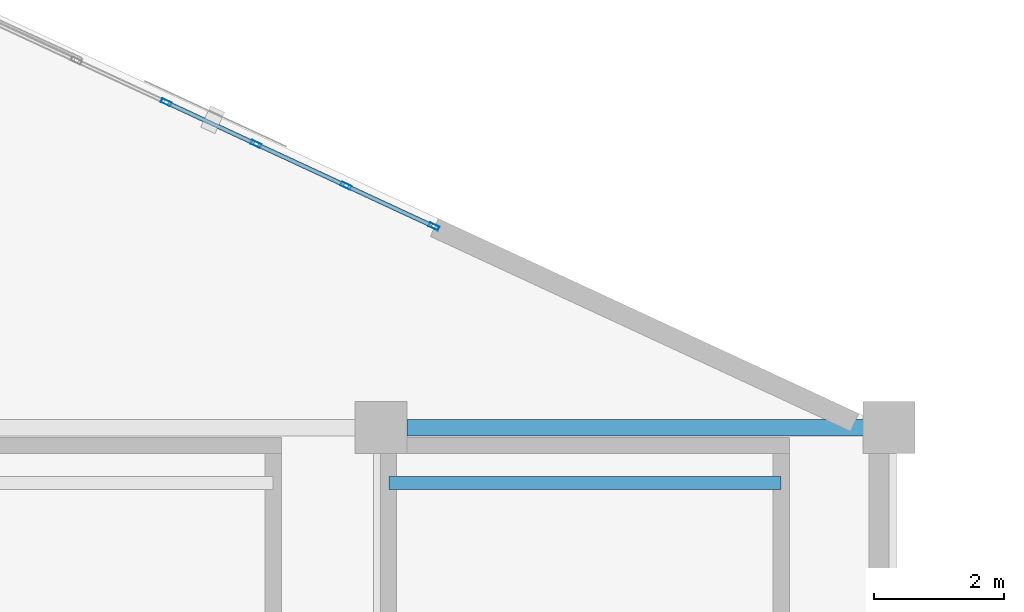
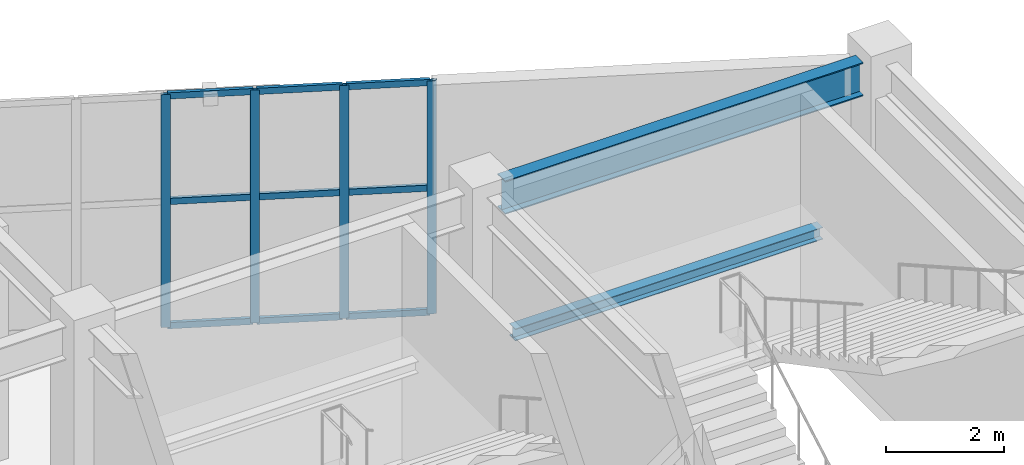
# One storey, part 93 of 128: 13 members, 2 beams, 1 element without a shape of its own.
"""IFC4 building model written with IfcOpenShell, lengths in metres."""

from ifc_helpers import new_model, si_unit, direction, frame, origin, origin_2d, place, context, subcontext, project, spatial, hollow_rectangle, i_section, extrude, material, layer, layer_set, material_profile, profile_set, type_object, element, aggregate, save


model = new_model("IFC4")

# Units and contexts
model_context = context("Model", 3, precision=1e-05, world=origin(), true_north=direction((0.0, 1.0)))
body_context = subcontext(model_context, "Body", "Model", "MODEL_VIEW")
ifc_project = project(units=[si_unit("LENGTHUNIT", "METRE"), si_unit("AREAUNIT", "SQUARE_METRE"), si_unit("VOLUMEUNIT", "CUBIC_METRE"), si_unit("PLANEANGLEUNIT", "RADIAN"), si_unit("MASSUNIT", "GRAM", prefix="KILO")], contexts=[model_context])

# Site, building, storey
site_placement = place(None, origin())
site = spatial("IfcSite", under=ifc_project, at=site_placement, CompositionType="ELEMENT")
building_placement = place(site_placement, origin())
building = spatial("IfcBuilding", under=site, at=building_placement, Name="Xicomal Pleat Aquarium", CompositionType="ELEMENT")
storey_placement = place(building_placement, frame((0.0, 0.0, 5.39990234375)))
storey = spatial("IfcBuildingStorey", under=building, at=storey_placement, Name="L02", CompositionType="ELEMENT", Elevation=5.39990234375)

# Beams
ifc_material_1 = material(Name="Structural steel A992 Gr 50", Category="steel")
ifc_material_profile_1 = material_profile(ifc_material_1, i_section(OverallWidth=0.201904296875, OverallDepth=0.2470703125, WebThickness=0.00732421875, FlangeThickness=0.010986328125, at=origin_2d()), Name="IR 250x49")
ifc_profile_set_1 = profile_set([ifc_material_profile_1], Name="Structural steel A992 Gr 50")
beam_type_1 = type_object("IfcBeamType", Name="BM-STL-IR250", PredefinedType="JOIST", material=ifc_profile_set_1)
beam_1_placement = place(storey_placement, frame((149.52001953125, 97.550048828125, 2.22900390625), z_axis=(1.0, 0.0, 0.0), x_axis=(0.0, 1.0, 0.0)))
element("IfcBeam", 1, at=beam_1_placement, inside=storey, type_object=beam_type_1, Name="ST-06-L02 half-landing bearer beam 1", PredefinedType="JOIST", context=body_context, shape_type="SweptSolid", body=[
    extrude(i_section(OverallWidth=0.201904296875, OverallDepth=0.2470703125, WebThickness=0.00732421875, FlangeThickness=0.010986328125, at=origin_2d()), origin(), (0.0, 0.0, 1.0), 6.02001953125),
])
ifc_material_2 = material(Name="Structural steel A992 Gr 50", Category="steel")
ifc_material_profile_2 = material_profile(ifc_material_2, i_section(OverallWidth=0.256103515625, OverallDepth=0.693115234375, WebThickness=0.014404296875, FlangeThickness=0.023681640625, at=origin_2d()), Name="IR 690x170")
ifc_profile_set_2 = profile_set([ifc_material_profile_2], Name="Structural steel A992 Gr 50")
beam_type_2 = type_object("IfcBeamType", Name="BM-STL-IR690", PredefinedType="BEAM", material=ifc_profile_set_2)
beam_2_placement = place(storey_placement, frame((149.794921875, 98.39990234375, 4.4736328125), z_axis=(1.0, 0.0, 0.0), x_axis=(0.0, 1.0, 0.0)))
element("IfcBeam", 2, at=beam_2_placement, inside=storey, type_object=beam_type_2, Name="L02 framing beam FGX-L02-19-20-P", PredefinedType="BEAM", context=body_context, shape_type="SweptSolid", body=[
    extrude(i_section(OverallWidth=0.256103515625, OverallDepth=0.693115234375, WebThickness=0.014404296875, FlangeThickness=0.023681640625, at=origin_2d()), origin(), (0.0, 0.0, 1.0), 7.010009765625),
])

# Curtain wall, members
ifc_material_3 = material(Name="Bronze anodized aluminium 6063-T6", Category="aluminium")
ifc_layer = layer(ifc_material_3, 0.159912109375)
ifc_layer_set = layer_set([ifc_layer], Name="Bronze anodized aluminium 6063-T6")
curtain_wall_type = type_object("IfcCurtainWallType", Name="CW-SYS-02", PredefinedType="NOTDEFINED", material=ifc_layer_set)
curtain_wall_placement = place(storey_placement, origin())
curtain_wall = element("IfcCurtainWall", 3, at=curtain_wall_placement, inside=storey, type_object=curtain_wall_type, Name="L02 unitised curtain wall CW-L02-090", PredefinedType="NOTDEFINED")
ifc_material_4 = material(Name="Bronze anodized aluminium 6063-T6", Category="aluminium")
ifc_material_profile_3 = material_profile(ifc_material_4, hollow_rectangle(XDim=0.06494140625, YDim=0.159912109375, WallThickness=0.00390625, at=origin_2d()), Name="ALU MULL 65x160")
ifc_profile_set_3 = profile_set([ifc_material_profile_3], Name="Bronze anodized aluminium 6063-T6")
member_type_1 = type_object("IfcMemberType", Name="CWM-65x160", PredefinedType="MULLION", material=ifc_profile_set_3)
member_1_placement = place(storey_placement, frame((146.10107421875, 103.39306640625, 0.0), z_axis=(0.0, 0.0, 1.0), x_axis=(0.420724978275, 0.907188234412, 0.0)))
member_1 = element("IfcMember", 4, at=member_1_placement, type_object=member_type_1, Name="CW-02 mullion 3", PredefinedType="MULLION", context=body_context, shape_type="SweptSolid", body=[
    extrude(hollow_rectangle(XDim=0.06494140625, YDim=0.159912109375, WallThickness=0.00390625, at=origin_2d()), origin(), (0.0, 0.0, 1.0), 4.820068359375),
])
member_2_placement = place(storey_placement, frame((147.48095703125, 102.7529296875, 0.0), z_axis=(0.0, 0.0, 1.0), x_axis=(0.420724978275, 0.907188234412, 0.0)))
member_2 = element("IfcMember", 5, at=member_2_placement, type_object=member_type_1, Name="CW-02 mullion 4", PredefinedType="MULLION", context=body_context, shape_type="SweptSolid", body=[
    extrude(hollow_rectangle(XDim=0.06494140625, YDim=0.159912109375, WallThickness=0.00390625, at=origin_2d()), origin(), (0.0, 0.0, 1.0), 4.820068359375),
])
member_3_placement = place(storey_placement, frame((148.861083984375, 102.113037109375, 0.0), z_axis=(0.0, 0.0, 1.0), x_axis=(0.420724978275, 0.907188234412, 0.0)))
member_3 = element("IfcMember", 6, at=member_3_placement, type_object=member_type_1, Name="CW-02 mullion 5", PredefinedType="MULLION", context=body_context, shape_type="SweptSolid", body=[
    extrude(hollow_rectangle(XDim=0.06494140625, YDim=0.159912109375, WallThickness=0.00390625, at=origin_2d()), origin(), (0.0, 0.0, 1.0), 4.820068359375),
])
member_4_placement = place(storey_placement, frame((150.21142578125, 101.48681640625, 0.0), z_axis=(0.0, 0.0, 1.0), x_axis=(0.420724978275, 0.907188234412, 0.0)))
member_4 = element("IfcMember", 7, at=member_4_placement, type_object=member_type_1, Name="CW-02 mullion 6", PredefinedType="MULLION", context=body_context, shape_type="SweptSolid", body=[
    extrude(hollow_rectangle(XDim=0.06494140625, YDim=0.159912109375, WallThickness=0.00390625, at=origin_2d()), origin(), (0.0, 0.0, 1.0), 4.820068359375),
])
ifc_material_5 = material(Name="Bronze anodized aluminium 6063-T6", Category="aluminium")
ifc_material_profile_4 = material_profile(ifc_material_5, hollow_rectangle(XDim=0.06494140625, YDim=0.1298828125, WallThickness=0.00390625, at=origin_2d()), Name="ALU TRAN 65x130")
ifc_profile_set_4 = profile_set([ifc_material_profile_4], Name="Bronze anodized aluminium 6063-T6")
member_type_2 = type_object("IfcMemberType", Name="CWT-65x130", PredefinedType="USERDEFINED", material=ifc_profile_set_4)
member_5_placement = place(storey_placement, frame((146.130615234375, 103.37939453125, 0.03271484375), z_axis=(0.907123298347, -0.420864968364, 0.0), x_axis=(0.420864968364, 0.907123298347, 0.0)))
member_5 = element("IfcMember", 8, at=member_5_placement, type_object=member_type_2, Name="CW-02 transom 3.1", ObjectType="TRANSOM", PredefinedType="USERDEFINED", context=body_context, shape_type="SweptSolid", body=[
    extrude(hollow_rectangle(XDim=0.06494140625, YDim=0.1298828125, WallThickness=0.00390625, at=origin_2d()), origin(), (0.0, 0.0, 1.0), 1.4560546875),
])
member_6_placement = place(storey_placement, frame((146.130615234375, 103.37939453125, 2.60302734375), z_axis=(0.907123298347, -0.420864968364, 0.0), x_axis=(0.420864968364, 0.907123298347, 0.0)))
member_6 = element("IfcMember", 9, at=member_6_placement, type_object=member_type_2, Name="CW-02 transom 3.2", ObjectType="TRANSOM", PredefinedType="USERDEFINED", context=body_context, shape_type="SweptSolid", body=[
    extrude(hollow_rectangle(XDim=0.06494140625, YDim=0.1298828125, WallThickness=0.00390625, at=origin_2d()), origin(), (0.0, 0.0, 1.0), 1.4560546875),
])
member_7_placement = place(storey_placement, frame((146.130615234375, 103.37939453125, 4.78759765625), z_axis=(0.907123298347, -0.420864968364, 0.0), x_axis=(0.420864968364, 0.907123298347, 0.0)))
member_7 = element("IfcMember", 10, at=member_7_placement, type_object=member_type_2, Name="CW-02 transom 3.3", ObjectType="TRANSOM", PredefinedType="USERDEFINED", context=body_context, shape_type="SweptSolid", body=[
    extrude(hollow_rectangle(XDim=0.06494140625, YDim=0.1298828125, WallThickness=0.00390625, at=origin_2d()), origin(), (0.0, 0.0, 1.0), 1.4560546875),
])
member_8_placement = place(storey_placement, frame((147.510498046875, 102.7392578125, 0.03271484375), z_axis=(0.907216982564, -0.420662984523, 0.0), x_axis=(0.420662984523, 0.907216982564, 0.0)))
member_8 = element("IfcMember", 11, at=member_8_placement, type_object=member_type_2, Name="CW-02 transom 4.1", ObjectType="TRANSOM", PredefinedType="USERDEFINED", context=body_context, shape_type="SweptSolid", body=[
    extrude(hollow_rectangle(XDim=0.06494140625, YDim=0.1298828125, WallThickness=0.00390625, at=origin_2d()), origin(), (0.0, 0.0, 1.0), 1.4560546875),
])
member_9_placement = place(storey_placement, frame((147.510498046875, 102.7392578125, 2.60302734375), z_axis=(0.907216982564, -0.420662984523, 0.0), x_axis=(0.420662984523, 0.907216982564, 0.0)))
member_9 = element("IfcMember", 12, at=member_9_placement, type_object=member_type_2, Name="CW-02 transom 4.2", ObjectType="TRANSOM", PredefinedType="USERDEFINED", context=body_context, shape_type="SweptSolid", body=[
    extrude(hollow_rectangle(XDim=0.06494140625, YDim=0.1298828125, WallThickness=0.00390625, at=origin_2d()), origin(), (0.0, 0.0, 1.0), 1.4560546875),
])
member_10_placement = place(storey_placement, frame((147.510498046875, 102.7392578125, 4.78759765625), z_axis=(0.907216982564, -0.420662984523, 0.0), x_axis=(0.420662984523, 0.907216982564, 0.0)))
member_10 = element("IfcMember", 13, at=member_10_placement, type_object=member_type_2, Name="CW-02 transom 4.3", ObjectType="TRANSOM", PredefinedType="USERDEFINED", context=body_context, shape_type="SweptSolid", body=[
    extrude(hollow_rectangle(XDim=0.06494140625, YDim=0.1298828125, WallThickness=0.00390625, at=origin_2d()), origin(), (0.0, 0.0, 1.0), 1.4560546875),
])
member_11_placement = place(storey_placement, frame((148.890380859375, 102.099365234375, 0.03271484375), z_axis=(0.907144595505, -0.420819061885, 0.0), x_axis=(0.420819061885, 0.907144595505, 0.0)))
member_11 = element("IfcMember", 14, at=member_11_placement, type_object=member_type_2, Name="CW-02 transom 5.1", ObjectType="TRANSOM", PredefinedType="USERDEFINED", context=body_context, shape_type="SweptSolid", body=[
    extrude(hollow_rectangle(XDim=0.06494140625, YDim=0.1298828125, WallThickness=0.00390625, at=origin_2d()), origin(), (0.0, 0.0, 1.0), 1.423583984375),
])
member_12_placement = place(storey_placement, frame((148.890380859375, 102.099365234375, 2.60302734375), z_axis=(0.907144595505, -0.420819061885, 0.0), x_axis=(0.420819061885, 0.907144595505, 0.0)))
member_12 = element("IfcMember", 15, at=member_12_placement, type_object=member_type_2, Name="CW-02 transom 5.2", ObjectType="TRANSOM", PredefinedType="USERDEFINED", context=body_context, shape_type="SweptSolid", body=[
    extrude(hollow_rectangle(XDim=0.06494140625, YDim=0.1298828125, WallThickness=0.00390625, at=origin_2d()), origin(), (0.0, 0.0, 1.0), 1.423583984375),
])
member_13_placement = place(storey_placement, frame((148.890380859375, 102.099365234375, 4.78759765625), z_axis=(0.907144595505, -0.420819061885, 0.0), x_axis=(0.420819061885, 0.907144595505, 0.0)))
member_13 = element("IfcMember", 16, at=member_13_placement, type_object=member_type_2, Name="CW-02 transom 5.3", ObjectType="TRANSOM", PredefinedType="USERDEFINED", context=body_context, shape_type="SweptSolid", body=[
    extrude(hollow_rectangle(XDim=0.06494140625, YDim=0.1298828125, WallThickness=0.00390625, at=origin_2d()), origin(), (0.0, 0.0, 1.0), 1.423583984375),
])
aggregate(curtain_wall, [member_1, member_2, member_3, member_4, member_5, member_6, member_7, member_8, member_9, member_10, member_11, member_12, member_13])

save(model, "model.ifc")
